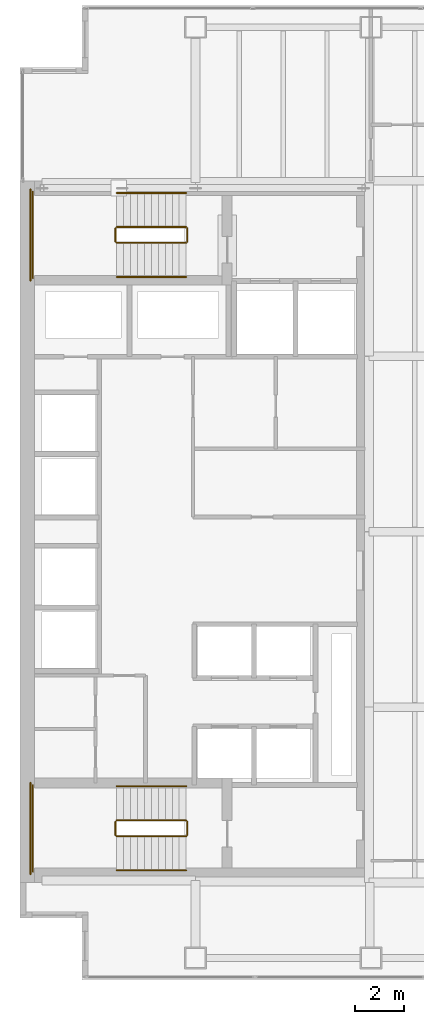
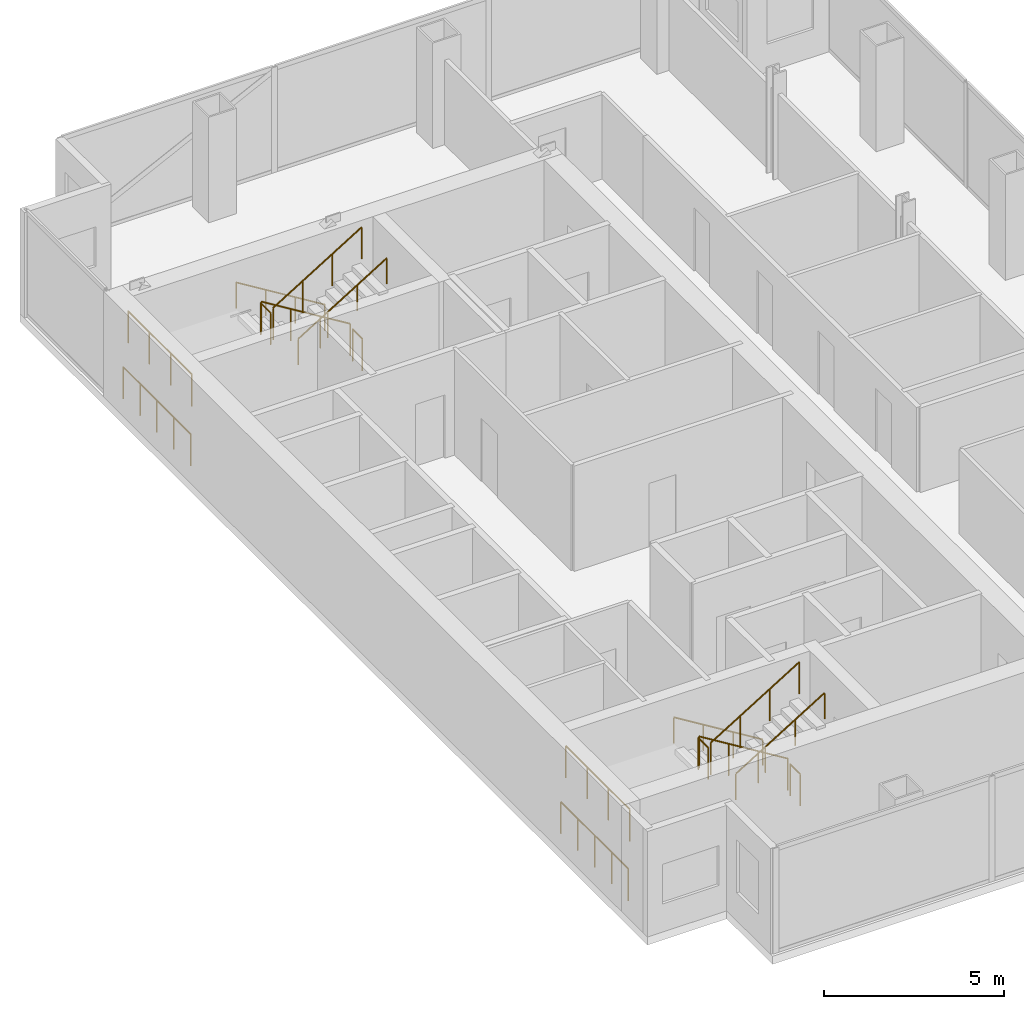
# One storey, part 24 of 24: 16 railings.
"""IFC4 building model written with IfcOpenShell, lengths in metres."""

from ifc_helpers import new_model, si_unit, direction, frame, origin, origin_2d, place, context, subcontext, project, spatial, circle, extrude, material, type_object, element, save


model = new_model("IFC4")

# Units and contexts
model_context = context("Model", 3, precision=1e-05, world=origin(), true_north=direction((0.0, 1.0)))
body_context = subcontext(model_context, "Body", "Model", "MODEL_VIEW")
ifc_project = project(units=[si_unit("LENGTHUNIT", "METRE"), si_unit("AREAUNIT", "SQUARE_METRE"), si_unit("VOLUMEUNIT", "CUBIC_METRE"), si_unit("PLANEANGLEUNIT", "RADIAN"), si_unit("MASSUNIT", "GRAM", prefix="KILO")], contexts=[model_context])

# Site, building, storey
site_placement = place(None, origin())
site = spatial("IfcSite", under=ifc_project, at=site_placement, CompositionType="ELEMENT")
building_placement = place(site_placement, origin())
building = spatial("IfcBuilding", under=site, at=building_placement, Name="Cobrela Telecom Tower", CompositionType="ELEMENT")
storey_placement = place(building_placement, frame((0.0, 0.0, 136.85009765625)))
storey = spatial("IfcBuildingStorey", under=building, at=storey_placement, Name="L34", CompositionType="ELEMENT", Elevation=136.85009765625)

# Railings
ifc_material = material(Name="Steel ASTM A36", Category="steel")
railing_type_1 = type_object("IfcRailingType", Name="RAIL-GUARD-1100", PredefinedType="GUARDRAIL", material=ifc_material)
railing_1_placement = place(storey_placement, frame((6.820068359375, 34.10009765625, 0.1748046875)))
element("IfcRailing", 1, at=railing_1_placement, inside=storey, type_object=railing_type_1, Name="L34 ST1 stair guard 1", PredefinedType="GUARDRAIL", context=body_context, shape_type="SweptSolid", body=[
    extrude(circle(Radius=0.02392578125, at=origin_2d()), frame((0.0, 0.0, 1.076171875), z_axis=(-0.852179220489, 0.0, 0.52325001306), x_axis=(0.0, -1.0, 0.0)), (0.0, 0.0, 1.0), 3.344482421875),
    extrude(circle(Radius=0.02099609375, at=origin_2d()), origin(), (0.0, 0.0, 1.0), 1.052001953125),
    extrude(circle(Radius=0.02099609375, at=origin_2d()), frame((-0.949951171875, 0.0, 0.583251953125)), (0.0, 0.0, 1.0), 1.052001953125),
    extrude(circle(Radius=0.02099609375, at=origin_2d()), frame((-1.900146484375, 0.0, 1.166748046875)), (0.0, 0.0, 1.0), 1.052001953125),
    extrude(circle(Radius=0.02099609375, at=origin_2d()), frame((-2.85009765625, 0.0, 1.75)), (0.0, 0.0, 1.0), 1.052001953125),
])
railing_2_placement = place(storey_placement, frame((3.919921875, 34.050048828125, 1.9248046875)))
element("IfcRailing", 2, at=railing_2_placement, inside=storey, type_object=railing_type_1, Name="L34 ST1 stair guard 2", PredefinedType="GUARDRAIL", context=body_context, shape_type="SweptSolid", body=[
    extrude(circle(Radius=0.02392578125, at=origin_2d()), frame((0.0, 0.0, 1.076171875), z_axis=(0.0, -1.0, 0.0), x_axis=(1.0, 0.0, 0.0)), (0.0, 0.0, 1.0), 0.550048828125),
    extrude(circle(Radius=0.02099609375, at=origin_2d()), origin(), (0.0, 0.0, 1.0), 1.052001953125),
    extrude(circle(Radius=0.02099609375, at=origin_2d()), frame((0.0, -0.550048828125, 0.0)), (0.0, 0.0, 1.0), 1.052001953125),
])
railing_3_placement = place(storey_placement, frame((0.530029296875, 35.550048828125, 1.9248046875)))
element("IfcRailing", 3, at=railing_3_placement, inside=storey, type_object=railing_type_1, Name="L34 ST1 stair guard 3", PredefinedType="GUARDRAIL", context=body_context, shape_type="SweptSolid", body=[
    extrude(circle(Radius=0.02392578125, at=origin_2d()), frame((0.0, 0.0, 1.076171875), z_axis=(0.0, -1.0, 0.0), x_axis=(1.0, 0.0, 0.0)), (0.0, 0.0, 1.0), 3.550048828125),
    extrude(circle(Radius=0.02099609375, at=origin_2d()), origin(), (0.0, 0.0, 1.0), 1.052001953125),
    extrude(circle(Radius=0.02099609375, at=origin_2d()), frame((0.0, -1.183349609375, 0.0)), (0.0, 0.0, 1.0), 1.052001953125),
    extrude(circle(Radius=0.02099609375, at=origin_2d()), frame((0.0, -2.36669921875, 0.0)), (0.0, 0.0, 1.0), 1.052001953125),
    extrude(circle(Radius=0.02099609375, at=origin_2d()), frame((0.0, -3.550048828125, 0.0)), (0.0, 0.0, 1.0), 1.052001953125),
])
railing_4_placement = place(storey_placement, frame((3.969970703125, 33.449951171875, 2.099853515625)))
element("IfcRailing", 4, at=railing_4_placement, inside=storey, type_object=railing_type_1, Name="L34 ST1 stair guard 4", PredefinedType="GUARDRAIL", context=body_context, shape_type="SweptSolid", body=[
    extrude(circle(Radius=0.02392578125, at=origin_2d()), frame((0.0, 0.0, 1.076171875), z_axis=(0.852179220489, 0.0, 0.52325001306), x_axis=(0.0, 1.0, 0.0)), (0.0, 0.0, 1.0), 3.344482421875),
    extrude(circle(Radius=0.02099609375, at=origin_2d()), origin(), (0.0, 0.0, 1.0), 1.052001953125),
    extrude(circle(Radius=0.02099609375, at=origin_2d()), frame((0.949951171875, 0.0, 0.583251953125)), (0.0, 0.0, 1.0), 1.052001953125),
    extrude(circle(Radius=0.02099609375, at=origin_2d()), frame((1.900146484375, 0.0, 1.166748046875)), (0.0, 0.0, 1.0), 1.052001953125),
    extrude(circle(Radius=0.02099609375, at=origin_2d()), frame((2.85009765625, 0.0, 1.75)), (0.0, 0.0, 1.0), 1.052001953125),
])
railing_5_placement = place(storey_placement, frame((6.8701171875, 34.050048828125, 0.0)))
element("IfcRailing", 5, at=railing_5_placement, inside=storey, type_object=railing_type_1, Name="L34 ST1 stair guard 5", PredefinedType="GUARDRAIL", context=body_context, shape_type="SweptSolid", body=[
    extrude(circle(Radius=0.02392578125, at=origin_2d()), frame((0.0, 0.0, 1.076171875), z_axis=(0.0, -1.0, 0.0), x_axis=(1.0, 0.0, 0.0)), (0.0, 0.0, 1.0), 0.550048828125),
    extrude(circle(Radius=0.02099609375, at=origin_2d()), origin(), (0.0, 0.0, 1.0), 1.052001953125),
    extrude(circle(Radius=0.02099609375, at=origin_2d()), frame((0.0, -0.550048828125, 0.0)), (0.0, 0.0, 1.0), 1.052001953125),
])
railing_6_placement = place(storey_placement, frame((0.429931640625, 35.64990234375, 0.0)))
element("IfcRailing", 6, at=railing_6_placement, inside=storey, type_object=railing_type_1, Name="L34 ST1 stair guard 6", PredefinedType="GUARDRAIL", context=body_context, shape_type="SweptSolid", body=[
    extrude(circle(Radius=0.02392578125, at=origin_2d()), frame((0.0, 0.0, 1.076171875), z_axis=(0.0, -1.0, 0.0), x_axis=(1.0, 0.0, 0.0)), (0.0, 0.0, 1.0), 3.75),
    extrude(circle(Radius=0.02099609375, at=origin_2d()), origin(), (0.0, 0.0, 1.0), 1.052001953125),
    extrude(circle(Radius=0.02099609375, at=origin_2d()), frame((0.0, -0.9375, 0.0)), (0.0, 0.0, 1.0), 1.052001953125),
    extrude(circle(Radius=0.02099609375, at=origin_2d()), frame((0.0, -1.875, 0.0)), (0.0, 0.0, 1.0), 1.052001953125),
    extrude(circle(Radius=0.02099609375, at=origin_2d()), frame((0.0, -2.8125, 0.0)), (0.0, 0.0, 1.0), 1.052001953125),
    extrude(circle(Radius=0.02099609375, at=origin_2d()), frame((0.0, -3.75, 0.0)), (0.0, 0.0, 1.0), 1.052001953125),
])
railing_7_placement = place(storey_placement, frame((6.820068359375, 9.75, 0.1748046875)))
element("IfcRailing", 7, at=railing_7_placement, inside=storey, type_object=railing_type_1, Name="L34 ST2 stair guard 1", PredefinedType="GUARDRAIL", context=body_context, shape_type="SweptSolid", body=[
    extrude(circle(Radius=0.02392578125, at=origin_2d()), frame((0.0, 0.0, 1.076171875), z_axis=(-0.852179220489, 0.0, 0.52325001306), x_axis=(0.0, -1.0, 0.0)), (0.0, 0.0, 1.0), 3.344482421875),
    extrude(circle(Radius=0.02099609375, at=origin_2d()), origin(), (0.0, 0.0, 1.0), 1.052001953125),
    extrude(circle(Radius=0.02099609375, at=origin_2d()), frame((-0.949951171875, 0.0, 0.583251953125)), (0.0, 0.0, 1.0), 1.052001953125),
    extrude(circle(Radius=0.02099609375, at=origin_2d()), frame((-1.900146484375, 0.0, 1.166748046875)), (0.0, 0.0, 1.0), 1.052001953125),
    extrude(circle(Radius=0.02099609375, at=origin_2d()), frame((-2.85009765625, 0.0, 1.75)), (0.0, 0.0, 1.0), 1.052001953125),
])
railing_8_placement = place(storey_placement, frame((3.919921875, 9.699951171875, 1.9248046875)))
element("IfcRailing", 8, at=railing_8_placement, inside=storey, type_object=railing_type_1, Name="L34 ST2 stair guard 2", PredefinedType="GUARDRAIL", context=body_context, shape_type="SweptSolid", body=[
    extrude(circle(Radius=0.02392578125, at=origin_2d()), frame((0.0, 0.0, 1.076171875), z_axis=(0.0, -1.0, 0.0), x_axis=(1.0, 0.0, 0.0)), (0.0, 0.0, 1.0), 0.550048828125),
    extrude(circle(Radius=0.02099609375, at=origin_2d()), origin(), (0.0, 0.0, 1.0), 1.052001953125),
    extrude(circle(Radius=0.02099609375, at=origin_2d()), frame((0.0, -0.550048828125, 0.0)), (0.0, 0.0, 1.0), 1.052001953125),
])
railing_9_placement = place(storey_placement, frame((0.530029296875, 11.199951171875, 1.9248046875)))
element("IfcRailing", 9, at=railing_9_placement, inside=storey, type_object=railing_type_1, Name="L34 ST2 stair guard 3", PredefinedType="GUARDRAIL", context=body_context, shape_type="SweptSolid", body=[
    extrude(circle(Radius=0.02392578125, at=origin_2d()), frame((0.0, 0.0, 1.076171875), z_axis=(0.0, -1.0, 0.0), x_axis=(1.0, 0.0, 0.0)), (0.0, 0.0, 1.0), 3.550048828125),
    extrude(circle(Radius=0.02099609375, at=origin_2d()), origin(), (0.0, 0.0, 1.0), 1.052001953125),
    extrude(circle(Radius=0.02099609375, at=origin_2d()), frame((0.0, -1.183349609375, 0.0)), (0.0, 0.0, 1.0), 1.052001953125),
    extrude(circle(Radius=0.02099609375, at=origin_2d()), frame((0.0, -2.36669921875, 0.0)), (0.0, 0.0, 1.0), 1.052001953125),
    extrude(circle(Radius=0.02099609375, at=origin_2d()), frame((0.0, -3.550048828125, 0.0)), (0.0, 0.0, 1.0), 1.052001953125),
])
railing_10_placement = place(storey_placement, frame((3.969970703125, 9.10009765625, 2.099853515625)))
element("IfcRailing", 10, at=railing_10_placement, inside=storey, type_object=railing_type_1, Name="L34 ST2 stair guard 4", PredefinedType="GUARDRAIL", context=body_context, shape_type="SweptSolid", body=[
    extrude(circle(Radius=0.02392578125, at=origin_2d()), frame((0.0, 0.0, 1.076171875), z_axis=(0.852179220489, 0.0, 0.52325001306), x_axis=(0.0, 1.0, 0.0)), (0.0, 0.0, 1.0), 3.344482421875),
    extrude(circle(Radius=0.02099609375, at=origin_2d()), origin(), (0.0, 0.0, 1.0), 1.052001953125),
    extrude(circle(Radius=0.02099609375, at=origin_2d()), frame((0.949951171875, 0.0, 0.583251953125)), (0.0, 0.0, 1.0), 1.052001953125),
    extrude(circle(Radius=0.02099609375, at=origin_2d()), frame((1.900146484375, 0.0, 1.166748046875)), (0.0, 0.0, 1.0), 1.052001953125),
    extrude(circle(Radius=0.02099609375, at=origin_2d()), frame((2.85009765625, 0.0, 1.75)), (0.0, 0.0, 1.0), 1.052001953125),
])
railing_11_placement = place(storey_placement, frame((6.8701171875, 9.699951171875, 0.0)))
element("IfcRailing", 11, at=railing_11_placement, inside=storey, type_object=railing_type_1, Name="L34 ST2 stair guard 5", PredefinedType="GUARDRAIL", context=body_context, shape_type="SweptSolid", body=[
    extrude(circle(Radius=0.02392578125, at=origin_2d()), frame((0.0, 0.0, 1.076171875), z_axis=(0.0, -1.0, 0.0), x_axis=(1.0, 0.0, 0.0)), (0.0, 0.0, 1.0), 0.550048828125),
    extrude(circle(Radius=0.02099609375, at=origin_2d()), origin(), (0.0, 0.0, 1.0), 1.052001953125),
    extrude(circle(Radius=0.02099609375, at=origin_2d()), frame((0.0, -0.550048828125, 0.0)), (0.0, 0.0, 1.0), 1.052001953125),
])
railing_12_placement = place(storey_placement, frame((0.429931640625, 11.300048828125, 0.0)))
element("IfcRailing", 12, at=railing_12_placement, inside=storey, type_object=railing_type_1, Name="L34 ST2 stair guard 6", PredefinedType="GUARDRAIL", context=body_context, shape_type="SweptSolid", body=[
    extrude(circle(Radius=0.02392578125, at=origin_2d()), frame((0.0, 0.0, 1.076171875), z_axis=(0.0, -1.0, 0.0), x_axis=(1.0, 0.0, 0.0)), (0.0, 0.0, 1.0), 3.75),
    extrude(circle(Radius=0.02099609375, at=origin_2d()), origin(), (0.0, 0.0, 1.0), 1.052001953125),
    extrude(circle(Radius=0.02099609375, at=origin_2d()), frame((0.0, -0.9375, 0.0)), (0.0, 0.0, 1.0), 1.052001953125),
    extrude(circle(Radius=0.02099609375, at=origin_2d()), frame((0.0, -1.875, 0.0)), (0.0, 0.0, 1.0), 1.052001953125),
    extrude(circle(Radius=0.02099609375, at=origin_2d()), frame((0.0, -2.8125, 0.0)), (0.0, 0.0, 1.0), 1.052001953125),
    extrude(circle(Radius=0.02099609375, at=origin_2d()), frame((0.0, -3.75, 0.0)), (0.0, 0.0, 1.0), 1.052001953125),
])
railing_type_2 = type_object("IfcRailingType", Name="RAIL-HAND-920", PredefinedType="HANDRAIL", material=ifc_material)
railing_13_placement = place(storey_placement, frame((6.820068359375, 35.5, 0.1748046875)))
element("IfcRailing", 13, at=railing_13_placement, inside=storey, type_object=railing_type_2, Name="L34 ST1 stair handrail 1", PredefinedType="HANDRAIL", context=body_context, shape_type="SweptSolid", body=[
    extrude(circle(Radius=0.02392578125, at=origin_2d()), frame((0.0, 0.0, 0.8759765625), z_axis=(-0.852179220489, 0.0, 0.52325001306), x_axis=(0.0, -1.0, 0.0)), (0.0, 0.0, 1.0), 3.344482421875),
    extrude(circle(Radius=0.02099609375, at=origin_2d()), origin(), (0.0, 0.0, 1.0), 0.851806640625),
    extrude(circle(Radius=0.02099609375, at=origin_2d()), frame((-0.949951171875, 0.0, 0.583251953125)), (0.0, 0.0, 1.0), 0.851806640625),
    extrude(circle(Radius=0.02099609375, at=origin_2d()), frame((-1.900146484375, 0.0, 1.166748046875)), (0.0, 0.0, 1.0), 0.851806640625),
    extrude(circle(Radius=0.02099609375, at=origin_2d()), frame((-2.85009765625, 0.0, 1.75)), (0.0, 0.0, 1.0), 0.851806640625),
])
railing_14_placement = place(storey_placement, frame((3.969970703125, 32.050048828125, 2.099853515625)))
element("IfcRailing", 14, at=railing_14_placement, inside=storey, type_object=railing_type_2, Name="L34 ST1 stair handrail 2", PredefinedType="HANDRAIL", context=body_context, shape_type="SweptSolid", body=[
    extrude(circle(Radius=0.02392578125, at=origin_2d()), frame((0.0, 0.0, 0.8759765625), z_axis=(0.852179220489, 0.0, 0.52325001306), x_axis=(0.0, 1.0, 0.0)), (0.0, 0.0, 1.0), 3.344482421875),
    extrude(circle(Radius=0.02099609375, at=origin_2d()), origin(), (0.0, 0.0, 1.0), 0.851806640625),
    extrude(circle(Radius=0.02099609375, at=origin_2d()), frame((0.949951171875, 0.0, 0.583251953125)), (0.0, 0.0, 1.0), 0.851806640625),
    extrude(circle(Radius=0.02099609375, at=origin_2d()), frame((1.900146484375, 0.0, 1.166748046875)), (0.0, 0.0, 1.0), 0.851806640625),
    extrude(circle(Radius=0.02099609375, at=origin_2d()), frame((2.85009765625, 0.0, 1.75)), (0.0, 0.0, 1.0), 0.851806640625),
])
railing_15_placement = place(storey_placement, frame((6.820068359375, 11.14990234375, 0.1748046875)))
element("IfcRailing", 15, at=railing_15_placement, inside=storey, type_object=railing_type_2, Name="L34 ST2 stair handrail 1", PredefinedType="HANDRAIL", context=body_context, shape_type="SweptSolid", body=[
    extrude(circle(Radius=0.02392578125, at=origin_2d()), frame((0.0, 0.0, 0.8759765625), z_axis=(-0.852179220489, 0.0, 0.52325001306), x_axis=(0.0, -1.0, 0.0)), (0.0, 0.0, 1.0), 3.344482421875),
    extrude(circle(Radius=0.02099609375, at=origin_2d()), origin(), (0.0, 0.0, 1.0), 0.851806640625),
    extrude(circle(Radius=0.02099609375, at=origin_2d()), frame((-0.949951171875, 0.0, 0.583251953125)), (0.0, 0.0, 1.0), 0.851806640625),
    extrude(circle(Radius=0.02099609375, at=origin_2d()), frame((-1.900146484375, 0.0, 1.166748046875)), (0.0, 0.0, 1.0), 0.851806640625),
    extrude(circle(Radius=0.02099609375, at=origin_2d()), frame((-2.85009765625, 0.0, 1.75)), (0.0, 0.0, 1.0), 0.851806640625),
])
railing_16_placement = place(storey_placement, frame((3.969970703125, 7.699951171875, 2.099853515625)))
element("IfcRailing", 16, at=railing_16_placement, inside=storey, type_object=railing_type_2, Name="L34 ST2 stair handrail 2", PredefinedType="HANDRAIL", context=body_context, shape_type="SweptSolid", body=[
    extrude(circle(Radius=0.02392578125, at=origin_2d()), frame((0.0, 0.0, 0.8759765625), z_axis=(0.852179220489, 0.0, 0.52325001306), x_axis=(0.0, 1.0, 0.0)), (0.0, 0.0, 1.0), 3.344482421875),
    extrude(circle(Radius=0.02099609375, at=origin_2d()), origin(), (0.0, 0.0, 1.0), 0.851806640625),
    extrude(circle(Radius=0.02099609375, at=origin_2d()), frame((0.949951171875, 0.0, 0.583251953125)), (0.0, 0.0, 1.0), 0.851806640625),
    extrude(circle(Radius=0.02099609375, at=origin_2d()), frame((1.900146484375, 0.0, 1.166748046875)), (0.0, 0.0, 1.0), 0.851806640625),
    extrude(circle(Radius=0.02099609375, at=origin_2d()), frame((2.85009765625, 0.0, 1.75)), (0.0, 0.0, 1.0), 0.851806640625),
])

save(model, "model.ifc")
